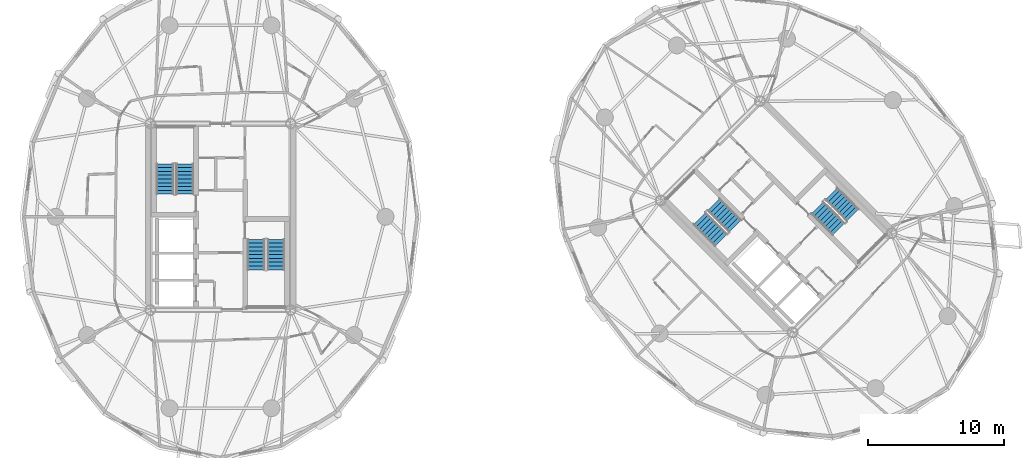
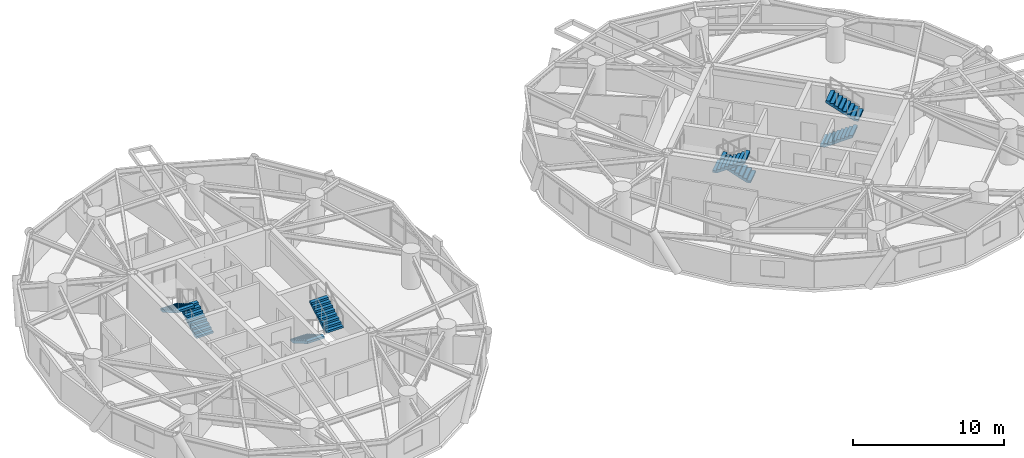
# One storey, part 16 of 18: 8 stair flights, 4 elements without a shape of their own.
"""IFC4 building model written with IfcOpenShell, lengths in metres."""

from ifc_helpers import new_model, si_unit, direction, frame, origin, place, context, subcontext, project, spatial, polyline, outline, extrude, material, type_object, element, aggregate, save


model = new_model("IFC4")

# Units and contexts
model_context = context("Model", 3, precision=1e-05, world=origin(), true_north=direction((0.0, 1.0)))
body_context = subcontext(model_context, "Body", "Model", "MODEL_VIEW")
ifc_project = project(units=[si_unit("LENGTHUNIT", "METRE"), si_unit("AREAUNIT", "SQUARE_METRE"), si_unit("VOLUMEUNIT", "CUBIC_METRE"), si_unit("PLANEANGLEUNIT", "RADIAN"), si_unit("MASSUNIT", "GRAM", prefix="KILO")], contexts=[model_context])

# Site, building, storey
site_placement = place(None, origin())
site = spatial("IfcSite", under=ifc_project, at=site_placement, CompositionType="ELEMENT")
building_placement = place(site_placement, origin())
building = spatial("IfcBuilding", under=site, at=building_placement, Name="Cununo Teusaquillo Station Towers", CompositionType="ELEMENT")
storey_placement = place(building_placement, frame((0.0, 0.0, 157.419921875)))
storey = spatial("IfcBuildingStorey", under=building, at=storey_placement, Name="L49", CompositionType="ELEMENT", Elevation=157.419921875)

# Stair, stair flights
ifc_material_1 = material(Name="Concrete C50/60", Category="concrete")
stair_type = type_object("IfcStairType", Name="ST-TWR-1300", PredefinedType="HALF_TURN_STAIR", material=ifc_material_1)
stair_1_placement = place(storey_placement, origin())
stair_1 = element("IfcStair", 1, at=stair_1_placement, inside=storey, type_object=stair_type, Name="L49 Tower A Protected Core Exit Stair 1", PredefinedType="HALF_TURN_STAIR")
ifc_material_2 = material(Name="Concrete C50/60", Category="concrete")
stair_flight_type = type_object("IfcStairFlightType", Name="SFL-TWR-1300", PredefinedType="STRAIGHT", material=ifc_material_2)
stair_flight_1_placement = place(storey_placement, frame((13.8701171875, 26.169921875, 0.0), z_axis=(0.0, 0.0, 1.0), x_axis=(0.0, 1.0, 0.0)))
stair_flight_1 = element("IfcStairFlight", 2, at=stair_flight_1_placement, type_object=stair_flight_type, Name="ST-T1-1 flight 1", NumberOfRisers=9, NumberOfTreads=8, PredefinedType="STRAIGHT", RiserHeight=0.161666667, TreadLength=0.28, context=body_context, shape_type="SweptSolid", body=[
    extrude(outline(polyline([(0.0, 0.0), (0.0, 0.16162109375), (0.280029296875, 0.16162109375), (0.280029296875, 0.3232421875), (0.56005859375, 0.3232421875), (0.56005859375, 0.485107421875), (0.840087890625, 0.485107421875), (0.840087890625, 0.646728515625), (1.1201171875, 0.646728515625), (1.1201171875, 0.808349609375), (1.39990234375, 0.808349609375), (1.39990234375, 0.969970703125), (1.679931640625, 0.969970703125), (1.679931640625, 1.131591796875), (1.9599609375, 1.131591796875), (1.9599609375, 1.293212890625), (2.239990234375, 1.293212890625), (2.239990234375, 1.455078125), (2.239990234375, 1.1201171875), (0.2998046875, 0.0), (0.0, 0.0)])), frame((0.0, 0.64990234375, 0.0), z_axis=(0.0, -1.0, 0.0), x_axis=(1.0, 0.0, 0.0)), (0.0, 0.0, 1.0), 1.300048828125),
])
stair_flight_2_placement = place(storey_placement, frame((12.409912109375, 28.409912109375, 1.455078125), z_axis=(0.0, 0.0, 1.0), x_axis=(0.0, -1.0, 0.0)))
stair_flight_2 = element("IfcStairFlight", 3, at=stair_flight_2_placement, type_object=stair_flight_type, Name="ST-T1-1 flight 2", NumberOfRisers=9, NumberOfTreads=8, PredefinedType="STRAIGHT", RiserHeight=0.161666667, TreadLength=0.28, context=body_context, shape_type="SweptSolid", body=[
    extrude(outline(polyline([(0.0, 0.0), (0.0, 0.16162109375), (0.280029296875, 0.16162109375), (0.280029296875, 0.3232421875), (0.56005859375, 0.3232421875), (0.56005859375, 0.485107421875), (0.840087890625, 0.485107421875), (0.840087890625, 0.646728515625), (1.1201171875, 0.646728515625), (1.1201171875, 0.808349609375), (1.39990234375, 0.808349609375), (1.39990234375, 0.969970703125), (1.679931640625, 0.969970703125), (1.679931640625, 1.131591796875), (1.9599609375, 1.131591796875), (1.9599609375, 1.293212890625), (2.239990234375, 1.293212890625), (2.239990234375, 1.455078125), (2.239990234375, 1.1201171875), (0.2998046875, 0.0), (0.0, 0.0)])), frame((0.0, 0.64990234375, 0.0), z_axis=(0.0, -1.0, 0.0), x_axis=(1.0, 0.0, 0.0)), (0.0, 0.0, 1.0), 1.300048828125),
])
aggregate(stair_1, [stair_flight_1, stair_flight_2])

stair_2_placement = place(storey_placement, origin())
stair_2 = element("IfcStair", 4, at=stair_2_placement, inside=storey, type_object=stair_type, Name="L49 Tower A Protected Core Exit Stair 2", PredefinedType="HALF_TURN_STAIR")
stair_flight_3_placement = place(storey_placement, frame((19.1298828125, 22.830078125, 0.0), z_axis=(0.0, 0.0, 1.0), x_axis=(0.0, -1.0, 0.0)))
stair_flight_3 = element("IfcStairFlight", 5, at=stair_flight_3_placement, type_object=stair_flight_type, Name="ST-T1-2 flight 1", NumberOfRisers=9, NumberOfTreads=8, PredefinedType="STRAIGHT", RiserHeight=0.161666667, TreadLength=0.28, context=body_context, shape_type="SweptSolid", body=[
    extrude(outline(polyline([(0.0, 0.0), (0.0, 0.16162109375), (0.280029296875, 0.16162109375), (0.280029296875, 0.3232421875), (0.56005859375, 0.3232421875), (0.56005859375, 0.485107421875), (0.840087890625, 0.485107421875), (0.840087890625, 0.646728515625), (1.1201171875, 0.646728515625), (1.1201171875, 0.808349609375), (1.39990234375, 0.808349609375), (1.39990234375, 0.969970703125), (1.679931640625, 0.969970703125), (1.679931640625, 1.131591796875), (1.9599609375, 1.131591796875), (1.9599609375, 1.293212890625), (2.239990234375, 1.293212890625), (2.239990234375, 1.455078125), (2.239990234375, 1.1201171875), (0.2998046875, 0.0), (0.0, 0.0)])), frame((0.0, 0.64990234375, 0.0), z_axis=(0.0, -1.0, 0.0), x_axis=(1.0, 0.0, 0.0)), (0.0, 0.0, 1.0), 1.300048828125),
])
stair_flight_4_placement = place(storey_placement, frame((20.590087890625, 20.590087890625, 1.455078125), z_axis=(0.0, 0.0, 1.0), x_axis=(0.0, 1.0, 0.0)))
stair_flight_4 = element("IfcStairFlight", 6, at=stair_flight_4_placement, type_object=stair_flight_type, Name="ST-T1-2 flight 2", NumberOfRisers=9, NumberOfTreads=8, PredefinedType="STRAIGHT", RiserHeight=0.161666667, TreadLength=0.28, context=body_context, shape_type="SweptSolid", body=[
    extrude(outline(polyline([(0.0, 0.0), (0.0, 0.16162109375), (0.280029296875, 0.16162109375), (0.280029296875, 0.3232421875), (0.56005859375, 0.3232421875), (0.56005859375, 0.485107421875), (0.840087890625, 0.485107421875), (0.840087890625, 0.646728515625), (1.1201171875, 0.646728515625), (1.1201171875, 0.808349609375), (1.39990234375, 0.808349609375), (1.39990234375, 0.969970703125), (1.679931640625, 0.969970703125), (1.679931640625, 1.131591796875), (1.9599609375, 1.131591796875), (1.9599609375, 1.293212890625), (2.239990234375, 1.293212890625), (2.239990234375, 1.455078125), (2.239990234375, 1.1201171875), (0.2998046875, 0.0), (0.0, 0.0)])), frame((0.0, 0.64990234375, 0.0), z_axis=(0.0, -1.0, 0.0), x_axis=(1.0, 0.0, 0.0)), (0.0, 0.0, 1.0), 1.300048828125),
])
aggregate(stair_2, [stair_flight_3, stair_flight_4])

stair_3_placement = place(storey_placement, origin())
stair_3 = element("IfcStair", 7, at=stair_3_placement, inside=storey, type_object=stair_type, Name="L49 Tower B Protected Core Exit Stair 1", PredefinedType="HALF_TURN_STAIR")
stair_flight_5_placement = place(storey_placement, frame((54.45947265625, 23.8212890625, 0.0), z_axis=(0.0, 0.0, 1.0), x_axis=(-0.707106781187, 0.707106781187, 0.0)))
stair_flight_5 = element("IfcStairFlight", 8, at=stair_flight_5_placement, type_object=stair_flight_type, Name="ST-T2-1 flight 1", NumberOfRisers=9, NumberOfTreads=8, PredefinedType="STRAIGHT", RiserHeight=0.161666667, TreadLength=0.28, context=body_context, shape_type="SweptSolid", body=[
    extrude(outline(polyline([(0.0, 0.0), (0.0, 0.16162109375), (0.280029296875, 0.16162109375), (0.280029296875, 0.3232421875), (0.56005859375, 0.3232421875), (0.56005859375, 0.485107421875), (0.840087890625, 0.485107421875), (0.840087890625, 0.646728515625), (1.1201171875, 0.646728515625), (1.1201171875, 0.808349609375), (1.39990234375, 0.808349609375), (1.39990234375, 0.969970703125), (1.679931640625, 0.969970703125), (1.679931640625, 1.131591796875), (1.9599609375, 1.131591796875), (1.9599609375, 1.293212890625), (2.239990234375, 1.293212890625), (2.239990234375, 1.455078125), (2.239990234375, 1.1201171875), (0.2998046875, 0.0), (0.0, 0.0)])), frame((0.0, 0.64990234375, 0.0), z_axis=(0.0, -1.0, 0.0), x_axis=(1.0, 0.0, 0.0)), (0.0, 0.0, 1.0), 1.300048828125),
])
stair_flight_6_placement = place(storey_placement, frame((51.84326171875, 24.372802734375, 1.455078125), z_axis=(0.0, 0.0, 1.0), x_axis=(0.707106781187, -0.707106781187, 0.0)))
stair_flight_6 = element("IfcStairFlight", 9, at=stair_flight_6_placement, type_object=stair_flight_type, Name="ST-T2-1 flight 2", NumberOfRisers=9, NumberOfTreads=8, PredefinedType="STRAIGHT", RiserHeight=0.161666667, TreadLength=0.28, context=body_context, shape_type="SweptSolid", body=[
    extrude(outline(polyline([(0.0, 0.0), (0.0, 0.16162109375), (0.280029296875, 0.16162109375), (0.280029296875, 0.3232421875), (0.56005859375, 0.3232421875), (0.56005859375, 0.485107421875), (0.840087890625, 0.485107421875), (0.840087890625, 0.646728515625), (1.1201171875, 0.646728515625), (1.1201171875, 0.808349609375), (1.39990234375, 0.808349609375), (1.39990234375, 0.969970703125), (1.679931640625, 0.969970703125), (1.679931640625, 1.131591796875), (1.9599609375, 1.131591796875), (1.9599609375, 1.293212890625), (2.239990234375, 1.293212890625), (2.239990234375, 1.455078125), (2.239990234375, 1.1201171875), (0.2998046875, 0.0), (0.0, 0.0)])), frame((0.0, 0.64990234375, 0.0), z_axis=(0.0, -1.0, 0.0), x_axis=(1.0, 0.0, 0.0)), (0.0, 0.0, 1.0), 1.300048828125),
])
aggregate(stair_3, [stair_flight_5, stair_flight_6])

stair_4_placement = place(storey_placement, origin())
stair_4 = element("IfcStair", 10, at=stair_4_placement, inside=storey, type_object=stair_type, Name="L49 Tower B Protected Core Exit Stair 2", PredefinedType="HALF_TURN_STAIR")
stair_flight_7_placement = place(storey_placement, frame((60.54052734375, 25.1787109375, 0.0), z_axis=(0.0, 0.0, 1.0), x_axis=(0.707106781187, -0.707106781187, 0.0)))
stair_flight_7 = element("IfcStairFlight", 11, at=stair_flight_7_placement, type_object=stair_flight_type, Name="ST-T2-2 flight 1", NumberOfRisers=9, NumberOfTreads=8, PredefinedType="STRAIGHT", RiserHeight=0.161666667, TreadLength=0.28, context=body_context, shape_type="SweptSolid", body=[
    extrude(outline(polyline([(0.0, 0.0), (0.0, 0.16162109375), (0.280029296875, 0.16162109375), (0.280029296875, 0.3232421875), (0.56005859375, 0.3232421875), (0.56005859375, 0.485107421875), (0.840087890625, 0.485107421875), (0.840087890625, 0.646728515625), (1.1201171875, 0.646728515625), (1.1201171875, 0.808349609375), (1.39990234375, 0.808349609375), (1.39990234375, 0.969970703125), (1.679931640625, 0.969970703125), (1.679931640625, 1.131591796875), (1.9599609375, 1.131591796875), (1.9599609375, 1.293212890625), (2.239990234375, 1.293212890625), (2.239990234375, 1.455078125), (2.239990234375, 1.1201171875), (0.2998046875, 0.0), (0.0, 0.0)])), frame((0.0, 0.64990234375, 0.0), z_axis=(0.0, -1.0, 0.0), x_axis=(1.0, 0.0, 0.0)), (0.0, 0.0, 1.0), 1.300048828125),
])
stair_flight_8_placement = place(storey_placement, frame((63.15673828125, 24.627197265625, 1.455078125), z_axis=(0.0, 0.0, 1.0), x_axis=(-0.707106781187, 0.707106781187, 0.0)))
stair_flight_8 = element("IfcStairFlight", 12, at=stair_flight_8_placement, type_object=stair_flight_type, Name="ST-T2-2 flight 2", NumberOfRisers=9, NumberOfTreads=8, PredefinedType="STRAIGHT", RiserHeight=0.161666667, TreadLength=0.28, context=body_context, shape_type="SweptSolid", body=[
    extrude(outline(polyline([(0.0, 0.0), (0.0, 0.16162109375), (0.280029296875, 0.16162109375), (0.280029296875, 0.3232421875), (0.56005859375, 0.3232421875), (0.56005859375, 0.485107421875), (0.840087890625, 0.485107421875), (0.840087890625, 0.646728515625), (1.1201171875, 0.646728515625), (1.1201171875, 0.808349609375), (1.39990234375, 0.808349609375), (1.39990234375, 0.969970703125), (1.679931640625, 0.969970703125), (1.679931640625, 1.131591796875), (1.9599609375, 1.131591796875), (1.9599609375, 1.293212890625), (2.239990234375, 1.293212890625), (2.239990234375, 1.455078125), (2.239990234375, 1.1201171875), (0.2998046875, 0.0), (0.0, 0.0)])), frame((0.0, 0.64990234375, 0.0), z_axis=(0.0, -1.0, 0.0), x_axis=(1.0, 0.0, 0.0)), (0.0, 0.0, 1.0), 1.300048828125),
])
aggregate(stair_4, [stair_flight_7, stair_flight_8])

save(model, "model.ifc")
